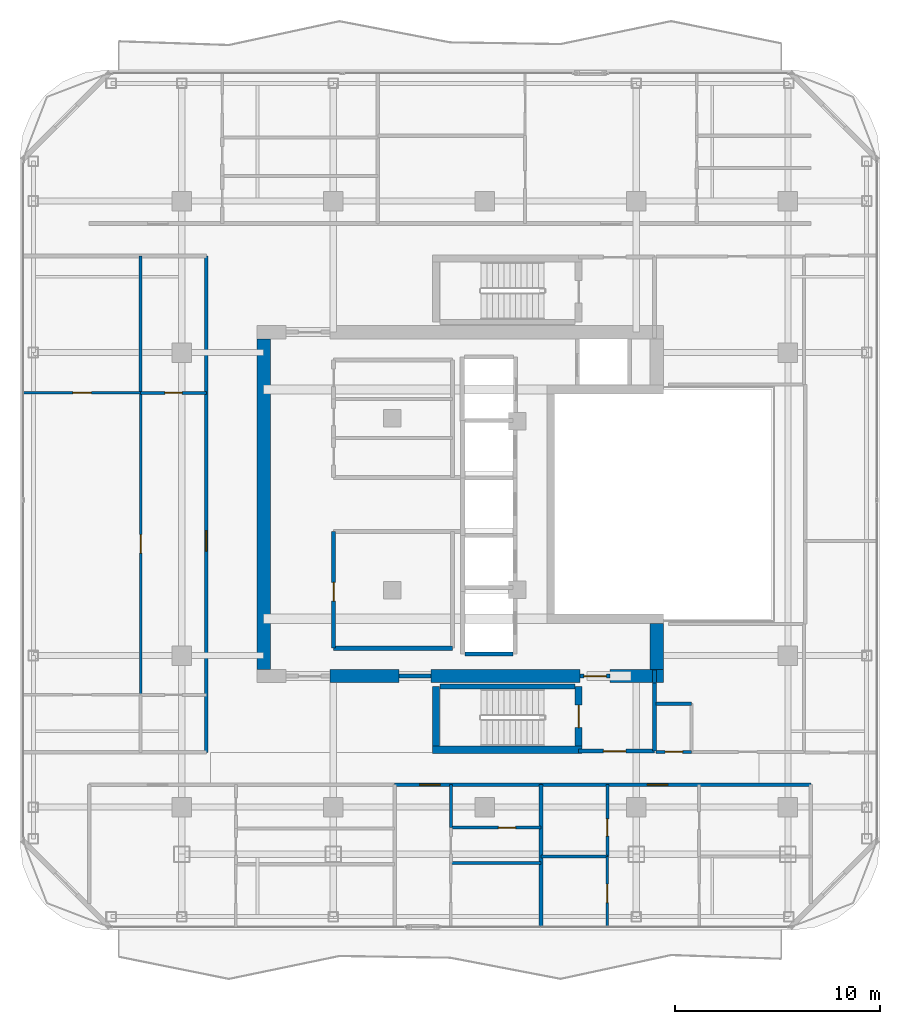
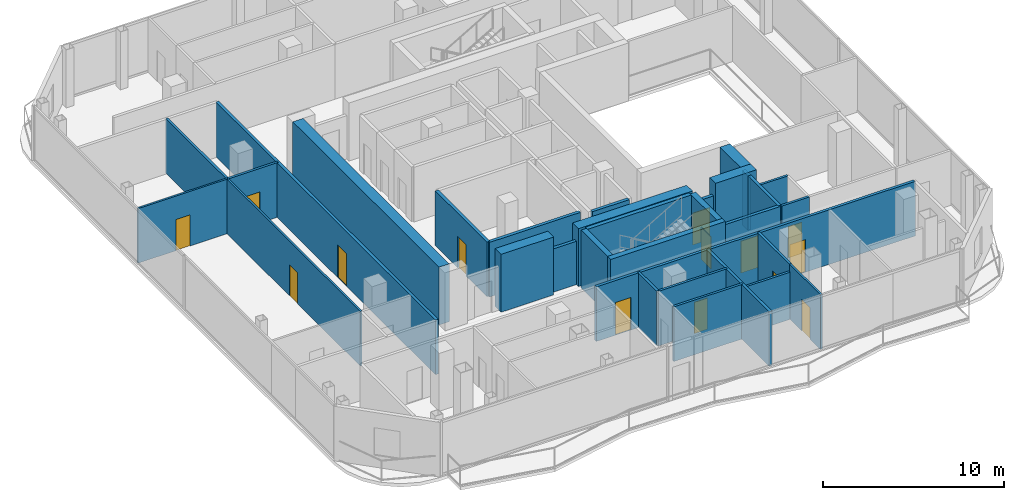
# One storey, part 16 of 22: 33 walls, 14 doors, 14 openings.
"""IFC4 building model written with IfcOpenShell, lengths in metres."""

from ifc_helpers import new_model, si_unit, direction, frame, frame_2d, origin, place, context, subcontext, project, spatial, rectangle, extrude, material, layer, layer_set, type_object, element, fill, save


model = new_model("IFC4")

# Units and contexts
model_context = context("Model", 3, precision=1e-05, world=origin(), true_north=direction((0.0, 1.0)))
body_context = subcontext(model_context, "Body", "Model", "MODEL_VIEW")
ifc_project = project(units=[si_unit("LENGTHUNIT", "METRE"), si_unit("AREAUNIT", "SQUARE_METRE"), si_unit("VOLUMEUNIT", "CUBIC_METRE"), si_unit("PLANEANGLEUNIT", "RADIAN"), si_unit("MASSUNIT", "GRAM", prefix="KILO")], contexts=[model_context])

# Site, building, storey
site_placement = place(None, origin())
site = spatial("IfcSite", under=ifc_project, at=site_placement, CompositionType="ELEMENT")
building_placement = place(site_placement, origin())
building = spatial("IfcBuilding", under=site, at=building_placement, Name="Khorvyn Point Tower", CompositionType="ELEMENT")
storey_placement = place(building_placement, frame((0.0, 0.0, 305.39990234375)))
storey = spatial("IfcBuildingStorey", under=building, at=storey_placement, Name="L75", CompositionType="ELEMENT", Elevation=305.39990234375)

# Wall, opening, door
ifc_material_1 = material(Name="Double acoustic gypsum on twin steel stud", Category="steel")
ifc_layer_1 = layer(ifc_material_1, 0.179931640625)
ifc_layer_set_1 = layer_set([ifc_layer_1], Name="Acoustic Double-Stud Apartment Demising Wall 180")
wall_type_1 = type_object("IfcWallType", Name="Acoustic Double-Stud Apartment Demising Wall 180", PredefinedType="PARTITIONING", material=ifc_layer_set_1)
wall_1_placement = place(storey_placement, frame((-4.402099609375, -13.699951171875, 0.0), z_axis=(0.0, 0.0, 1.0), x_axis=(1.0, 0.0, 0.0)))
wall_1 = element("IfcWall", 1, at=wall_1_placement, inside=storey, type_object=wall_type_1, Name="Wall", PredefinedType="PARTITIONING", context=body_context, shape_type="SweptSolid", body=[
    extrude(rectangle(XDim=7.148193359375, YDim=0.179931640625, at=frame_2d((3.57421875, 0.0))), origin(), (0.0, 0.0, 1.0), 3.68017578125),
])
opening_1_placement = place(wall_1_placement, frame((1.219482421875, 0.0, 0.0)))
opening_1 = element("IfcOpeningElement", 2, at=opening_1_placement, cuts=wall_1, Name="Opening ID-AP60", PredefinedType="OPENING", context=body_context, shape_type="SweptSolid", body=[
    extrude(rectangle(XDim=1.0, YDim=2.199951171875, at=frame_2d((0.5, 1.10009765625))), frame((0.0, 0.099853515625, 0.0), z_axis=(0.0, -1.0, 0.0), x_axis=(1.0, 0.0, 0.0)), (0.0, 0.0, 1.0), 0.199951171875),
])
ifc_material_2 = material(Name="Engineered hardwood fire-rated leaf", Category="wood")
door_type_1 = type_object("IfcDoorType", Name="Acoustic Solid-Core Timber Apartment Entrance Door 1000x2200", OperationType="NOTDEFINED", PredefinedType="DOOR", material=ifc_material_2)
door_1_placement = place(opening_1_placement, origin())
door_1 = element("IfcDoor", 3, at=door_1_placement, inside=storey, type_object=door_type_1, Name="Door", OperationType="SINGLE_SWING_RIGHT", OverallHeight=2.199951171875, OverallWidth=1.0, PredefinedType="DOOR", context=body_context, shape_type="SweptSolid", body=[
    extrude(rectangle(XDim=1.0, YDim=2.199951171875, at=frame_2d((0.5, 1.10009765625))), frame((0.0, 0.02490234375, 0.0), z_axis=(0.0, -1.0, 0.0), x_axis=(1.0, 0.0, 0.0)), (0.0, 0.0, 1.0), 0.050048828125),
])
fill(opening_1, door_1)

wall_2_placement = place(storey_placement, frame((2.74609375, -13.699951171875, 0.0), z_axis=(0.0, 0.0, 1.0), x_axis=(1.0, 0.0, 0.0)))
wall_2 = element("IfcWall", 4, at=wall_2_placement, inside=storey, type_object=wall_type_1, Name="Wall", PredefinedType="PARTITIONING", context=body_context, shape_type="SweptSolid", body=[
    extrude(rectangle(XDim=13.173828125, YDim=0.179931640625, at=frame_2d((6.5869140625, 0.0))), origin(), (0.0, 0.0, 1.0), 3.68017578125),
])
opening_2_placement = place(wall_2_placement, frame((5.18896484375, 0.0, 0.0)))
opening_2 = element("IfcOpeningElement", 5, at=opening_2_placement, cuts=wall_2, Name="Opening ID-AP60", PredefinedType="OPENING", context=body_context, shape_type="SweptSolid", body=[
    extrude(rectangle(XDim=1.0, YDim=2.199951171875, at=frame_2d((0.5, 1.10009765625))), frame((0.0, 0.099853515625, 0.0), z_axis=(0.0, -1.0, 0.0), x_axis=(1.0, 0.0, 0.0)), (0.0, 0.0, 1.0), 0.199951171875),
])
door_2_placement = place(opening_2_placement, origin())
door_2 = element("IfcDoor", 6, at=door_2_placement, inside=storey, type_object=door_type_1, Name="Door", OperationType="SINGLE_SWING_RIGHT", OverallHeight=2.199951171875, OverallWidth=1.0, PredefinedType="DOOR", context=body_context, shape_type="SweptSolid", body=[
    extrude(rectangle(XDim=1.0, YDim=2.199951171875, at=frame_2d((0.5, 1.10009765625))), frame((0.0, 0.02490234375, 0.0), z_axis=(0.0, -1.0, 0.0), x_axis=(1.0, 0.0, 0.0)), (0.0, 0.0, 1.0), 0.050048828125),
])
fill(opening_2, door_2)

wall_3_placement = place(storey_placement, frame((-13.60009765625, -12.1201171875, 0.0), z_axis=(0.0, 0.0, 1.0), x_axis=(0.0, 1.0, 0.0)))
wall_3 = element("IfcWall", 7, at=wall_3_placement, inside=storey, type_object=wall_type_1, Name="Wall", PredefinedType="PARTITIONING", context=body_context, shape_type="SweptSolid", body=[
    extrude(rectangle(XDim=24.240234375, YDim=0.179931640625, at=frame_2d((12.1201171875, 0.0))), origin(), (0.0, 0.0, 1.0), 3.68017578125),
])
opening_3_placement = place(wall_3_placement, frame((9.829345703125, 0.0, 0.0)))
opening_3 = element("IfcOpeningElement", 8, at=opening_3_placement, cuts=wall_3, Name="Opening ID-AP60", PredefinedType="OPENING", context=body_context, shape_type="SweptSolid", body=[
    extrude(rectangle(XDim=1.0, YDim=2.199951171875, at=frame_2d((0.5, 1.10009765625))), frame((0.0, 0.099853515625, 0.0), z_axis=(0.0, -1.0, 0.0), x_axis=(1.0, 0.0, 0.0)), (0.0, 0.0, 1.0), 0.199951171875),
])
door_3_placement = place(opening_3_placement, origin())
door_3 = element("IfcDoor", 9, at=door_3_placement, inside=storey, type_object=door_type_1, Name="Door", OperationType="SINGLE_SWING_LEFT", OverallHeight=2.199951171875, OverallWidth=1.0, PredefinedType="DOOR", context=body_context, shape_type="SweptSolid", body=[
    extrude(rectangle(XDim=1.0, YDim=2.199951171875, at=frame_2d((0.5, 1.10009765625))), frame((0.0, 0.02490234375, 0.0), z_axis=(0.0, -1.0, 0.0), x_axis=(1.0, 0.0, 0.0)), (0.0, 0.0, 1.0), 0.050048828125),
])
fill(opening_3, door_3)

# Walls
wall_4_placement = place(storey_placement, frame((2.74609375, -20.6298828125, 0.0), z_axis=(0.0, 0.0, 1.0), x_axis=(0.0, 1.0, 0.0)))
element("IfcWall", 10, at=wall_4_placement, inside=storey, type_object=wall_type_1, Name="Wall", PredefinedType="PARTITIONING", context=body_context, shape_type="SweptSolid", body=[
    extrude(rectangle(XDim=6.929931640625, YDim=0.179931640625, at=frame_2d((3.46484375, 0.0))), origin(), (0.0, 0.0, 1.0), 3.68017578125),
])
ifc_material_3 = material(Name="Concrete C40/50", Category="concrete")
ifc_layer_2 = layer(ifc_material_3, 0.64990234375)
ifc_layer_set_2 = layer_set([ifc_layer_2], Name="Concrete C40/50 Core Shear Wall 650")
wall_type_2 = type_object("IfcWallType", Name="Concrete C40/50 Core Shear Wall 650", PredefinedType="SHEAR", material=ifc_layer_set_2)
wall_5_placement = place(storey_placement, frame((-7.550048828125, -8.39990234375, 0.0), z_axis=(0.0, 0.0, 1.0), x_axis=(1.0, 0.0, 0.0)))
element("IfcWall", 11, at=wall_5_placement, inside=storey, type_object=wall_type_2, Name="Wall", PredefinedType="SHEAR", context=body_context, shape_type="SweptSolid", body=[
    extrude(rectangle(XDim=3.35009765625, YDim=0.64990234375, at=frame_2d((1.675048828125, 0.0))), origin(), (0.0, 0.0, 1.0), 3.900146484375),
])
wall_6_placement = place(storey_placement, frame((-2.6201171875, -8.39990234375, 0.0), z_axis=(0.0, 0.0, 1.0), x_axis=(1.0, 0.0, 0.0)))
element("IfcWall", 12, at=wall_6_placement, inside=storey, type_object=wall_type_2, Name="Wall", PredefinedType="SHEAR", context=body_context, shape_type="SweptSolid", body=[
    extrude(rectangle(XDim=7.27001953125, YDim=0.64990234375, at=frame_2d((3.635009765625, 0.0))), origin(), (0.0, 0.0, 1.0), 3.900146484375),
])
wall_7_placement = place(storey_placement, frame((6.1201171875, -8.39990234375, 0.0), z_axis=(0.0, 0.0, 1.0), x_axis=(1.0, 0.0, 0.0)))
element("IfcWall", 13, at=wall_7_placement, inside=storey, type_object=wall_type_2, Name="Wall", PredefinedType="SHEAR", context=body_context, shape_type="SweptSolid", body=[
    extrude(rectangle(XDim=2.60498046875, YDim=0.64990234375, at=frame_2d((1.302490234375, 0.0))), origin(), (0.0, 0.0, 1.0), 3.900146484375),
])
wall_8_placement = place(storey_placement, frame((-10.800048828125, -8.074951171875, 0.0), z_axis=(0.0, 0.0, 1.0), x_axis=(0.0, 1.0, 0.0)))
element("IfcWall", 14, at=wall_8_placement, inside=storey, type_object=wall_type_2, Name="Wall", PredefinedType="SHEAR", context=body_context, shape_type="SweptSolid", body=[
    extrude(rectangle(XDim=16.14990234375, YDim=0.64990234375, at=frame_2d((8.074951171875, 0.0))), origin(), (0.0, 0.0, 1.0), 3.900146484375),
])
wall_9_placement = place(storey_placement, frame((8.39990234375, -8.074951171875, 0.0), z_axis=(0.0, 0.0, 1.0), x_axis=(0.0, 1.0, 0.0)))
element("IfcWall", 15, at=wall_9_placement, inside=storey, type_object=wall_type_2, Name="Wall", PredefinedType="SHEAR", context=body_context, shape_type="SweptSolid", body=[
    extrude(rectangle(XDim=2.25, YDim=0.64990234375, at=frame_2d((1.125, 0.0))), origin(), (0.0, 0.0, 1.0), 3.900146484375),
])

# Wall, opening, door
ifc_layer_3 = layer(ifc_material_3, 0.199951171875)
ifc_layer_set_3 = layer_set([ifc_layer_3], Name="Concrete C40/50 Fire-Lobby Compartment Wall 200")
wall_type_3 = type_object("IfcWallType", Name="Concrete C40/50 Fire-Lobby Compartment Wall 200", PredefinedType="SOLIDWALL", material=ifc_layer_set_3)
wall_10_placement = place(storey_placement, frame((4.580078125, -12.06005859375, 0.0), z_axis=(0.0, 0.0, 1.0), x_axis=(1.0, 0.0, 0.0)))
wall_10 = element("IfcWall", 16, at=wall_10_placement, inside=storey, type_object=wall_type_3, Name="Wall", PredefinedType="SOLIDWALL", context=body_context, shape_type="SweptSolid", body=[
    extrude(rectangle(XDim=3.699951171875, YDim=0.199951171875, at=frame_2d((1.85009765625, 0.0))), origin(), (0.0, 0.0, 1.0), 3.68017578125),
])
opening_4_placement = place(wall_10_placement, frame((1.21240234375, 0.0, 0.0)))
opening_4 = element("IfcOpeningElement", 17, at=opening_4_placement, cuts=wall_10, Name="Opening ID-FL90", PredefinedType="OPENING", context=body_context, shape_type="SweptSolid", body=[
    extrude(rectangle(XDim=1.10009765625, YDim=2.14990234375, at=frame_2d((0.550048828125, 1.074951171875))), frame((0.0, 0.10986328125, 0.0), z_axis=(0.0, -1.0, 0.0), x_axis=(1.0, 0.0, 0.0)), (0.0, 0.0, 1.0), 0.219970703125),
])
ifc_material_4 = material(Name="Galvanised powder-coated steel", Category="steel")
door_type_2 = type_object("IfcDoorType", Name="Fire-Rated Steel Lobby and Stair Door 1100x2150", OperationType="NOTDEFINED", PredefinedType="DOOR", material=ifc_material_4)
door_4_placement = place(opening_4_placement, origin())
door_4 = element("IfcDoor", 18, at=door_4_placement, inside=storey, type_object=door_type_2, Name="Door", OperationType="SINGLE_SWING_RIGHT", OverallHeight=2.14990234375, OverallWidth=1.10009765625, PredefinedType="DOOR", context=body_context, shape_type="SweptSolid", body=[
    extrude(rectangle(XDim=1.10009765625, YDim=2.14990234375, at=frame_2d((0.550048828125, 1.074951171875))), frame((0.0, 0.02490234375, 0.0), z_axis=(0.0, -1.0, 0.0), x_axis=(1.0, 0.0, 0.0)), (0.0, 0.0, 1.0), 0.050048828125),
])
fill(opening_4, door_4)

wall_11_placement = place(storey_placement, frame((4.64990234375, -8.39990234375, 0.0), z_axis=(0.0, 0.0, 1.0), x_axis=(1.0, 0.0, 0.0)))
wall_11 = element("IfcWall", 19, at=wall_11_placement, inside=storey, type_object=wall_type_3, Name="Wall", PredefinedType="SOLIDWALL", context=body_context, shape_type="SweptSolid", body=[
    extrude(rectangle(XDim=1.47021484375, YDim=0.199951171875, at=frame_2d((0.735107421875, 0.0))), origin(), (0.0, 0.0, 1.0), 2.920166015625),
])
opening_5_placement = place(wall_11_placement, frame((0.18505859375, 0.0, 0.0)))
opening_5 = element("IfcOpeningElement", 20, at=opening_5_placement, cuts=wall_11, Name="Opening ID-FL90", PredefinedType="OPENING", context=body_context, shape_type="SweptSolid", body=[
    extrude(rectangle(XDim=1.10009765625, YDim=2.14990234375, at=frame_2d((0.550048828125, 1.074951171875))), frame((0.0, 0.10986328125, 0.0), z_axis=(0.0, -1.0, 0.0), x_axis=(1.0, 0.0, 0.0)), (0.0, 0.0, 1.0), 0.219970703125),
])
door_5_placement = place(opening_5_placement, origin())
door_5 = element("IfcDoor", 21, at=door_5_placement, inside=storey, type_object=door_type_2, Name="Door", OperationType="SINGLE_SWING_LEFT", OverallHeight=2.14990234375, OverallWidth=1.10009765625, PredefinedType="DOOR", context=body_context, shape_type="SweptSolid", body=[
    extrude(rectangle(XDim=1.10009765625, YDim=2.14990234375, at=frame_2d((0.550048828125, 1.074951171875))), frame((0.0, 0.02490234375, 0.0), z_axis=(0.0, -1.0, 0.0), x_axis=(1.0, 0.0, 0.0)), (0.0, 0.0, 1.0), 0.050048828125),
])
fill(opening_5, door_5)

wall_12_placement = place(storey_placement, frame((-7.3798828125, -7.0400390625, 0.0), z_axis=(0.0, 0.0, 1.0), x_axis=(0.0, 1.0, 0.0)))
wall_12 = element("IfcWall", 22, at=wall_12_placement, inside=storey, type_object=wall_type_3, Name="Wall", PredefinedType="SOLIDWALL", context=body_context, shape_type="SweptSolid", body=[
    extrude(rectangle(XDim=5.699951171875, YDim=0.199951171875, at=frame_2d((2.85009765625, 0.0))), origin(), (0.0, 0.0, 1.0), 3.68017578125),
])
opening_6_placement = place(wall_12_placement, frame((2.30078125, 0.0, 0.0)))
opening_6 = element("IfcOpeningElement", 23, at=opening_6_placement, cuts=wall_12, Name="Opening ID-RS60", PredefinedType="OPENING", context=body_context, shape_type="SweptSolid", body=[
    extrude(rectangle(XDim=0.919921875, YDim=2.10009765625, at=frame_2d((0.4599609375, 1.050048828125))), frame((0.0, 0.10986328125, 0.0), z_axis=(0.0, -1.0, 0.0), x_axis=(1.0, 0.0, 0.0)), (0.0, 0.0, 1.0), 0.219970703125),
])
door_type_3 = type_object("IfcDoorType", Name="Fire-Rated Riser and Store Steel Door 920x2100", OperationType="NOTDEFINED", PredefinedType="DOOR", material=ifc_material_4)
door_6_placement = place(opening_6_placement, origin())
door_6 = element("IfcDoor", 24, at=door_6_placement, inside=storey, type_object=door_type_3, Name="Door", OperationType="SINGLE_SWING_LEFT", OverallHeight=2.10009765625, OverallWidth=0.919921875, PredefinedType="DOOR", context=body_context, shape_type="SweptSolid", body=[
    extrude(rectangle(XDim=0.919921875, YDim=2.10009765625, at=frame_2d((0.4599609375, 1.050048828125))), frame((0.0, 0.02490234375, 0.0), z_axis=(0.0, -1.0, 0.0), x_axis=(1.0, 0.0, 0.0)), (0.0, 0.0, 1.0), 0.050048828125),
])
fill(opening_6, door_6)

# Walls
wall_13_placement = place(storey_placement, frame((8.280029296875, -12.06005859375, 0.0), z_axis=(0.0, 0.0, 1.0), x_axis=(0.0, 1.0, 0.0)))
element("IfcWall", 25, at=wall_13_placement, inside=storey, type_object=wall_type_3, Name="Wall", PredefinedType="SOLIDWALL", context=body_context, shape_type="SweptSolid", body=[
    extrude(rectangle(XDim=3.3349609375, YDim=0.199951171875, at=frame_2d((1.66748046875, 0.0))), origin(), (0.0, 0.0, 1.0), 3.68017578125),
])
wall_14_placement = place(storey_placement, frame((-4.199951171875, -8.39990234375, 0.0), z_axis=(0.0, 0.0, 1.0), x_axis=(1.0, 0.0, 0.0)))
element("IfcWall", 26, at=wall_14_placement, inside=storey, type_object=wall_type_3, Name="Wall", PredefinedType="SOLIDWALL", context=body_context, shape_type="SweptSolid", body=[
    extrude(rectangle(XDim=1.579833984375, YDim=0.199951171875, at=frame_2d((0.7900390625, 0.0))), origin(), (0.0, 0.0, 1.0), 2.920166015625),
])
wall_15_placement = place(storey_placement, frame((-7.3798828125, -7.0400390625, 0.0), z_axis=(0.0, 0.0, 1.0), x_axis=(1.0, 0.0, 0.0)))
element("IfcWall", 27, at=wall_15_placement, inside=storey, type_object=wall_type_3, Name="Wall", PredefinedType="SOLIDWALL", context=body_context, shape_type="SweptSolid", body=[
    extrude(rectangle(XDim=5.7998046875, YDim=0.199951171875, at=frame_2d((2.89990234375, 0.0))), origin(), (0.0, 0.0, 1.0), 3.68017578125),
])
wall_16_placement = place(storey_placement, frame((8.280029296875, -8.72509765625, 0.0), z_axis=(0.0, 0.0, 1.0), x_axis=(0.0, 1.0, 0.0)))
element("IfcWall", 28, at=wall_16_placement, inside=storey, type_object=wall_type_3, Name="Wall", PredefinedType="SOLIDWALL", context=body_context, shape_type="SweptSolid", body=[
    extrude(rectangle(XDim=0.625, YDim=0.199951171875, at=frame_2d((0.3125, 0.0))), origin(), (0.0, 0.0, 1.0), 3.68017578125),
])
ifc_layer_4 = layer(ifc_material_3, 0.25)
ifc_layer_set_4 = layer_set([ifc_layer_4], Name="Concrete C40/50 Stair Inner Cheek Structural Wall 250")
wall_type_4 = type_object("IfcWallType", Name="Concrete C40/50 Stair Inner Cheek Structural Wall 250", PredefinedType="SHEAR", material=ifc_layer_set_4)
wall_17_placement = place(storey_placement, frame((-2.199951171875, -8.89990234375, 0.0), z_axis=(0.0, 0.0, 1.0), x_axis=(1.0, 0.0, 0.0)))
element("IfcWall", 29, at=wall_17_placement, inside=storey, type_object=wall_type_4, Name="Wall", PredefinedType="SHEAR", context=body_context, shape_type="SweptSolid", body=[
    extrude(rectangle(XDim=6.599853515625, YDim=0.25, at=frame_2d((3.2998046875, 0.0))), origin(), (0.0, 0.0, 1.0), 3.900146484375),
])
ifc_layer_5 = layer(ifc_material_3, 0.35009765625)
ifc_layer_set_5 = layer_set([ifc_layer_5], Name="Concrete C40/50 Stair Shaft Structural Wall 350")
wall_type_5 = type_object("IfcWallType", Name="Concrete C40/50 Stair Shaft Structural Wall 350", PredefinedType="SHEAR", material=ifc_layer_set_5)
wall_18_placement = place(storey_placement, frame((-2.554931640625, -12.0, 0.0), z_axis=(0.0, 0.0, 1.0), x_axis=(1.0, 0.0, 0.0)))
element("IfcWall", 30, at=wall_18_placement, inside=storey, type_object=wall_type_5, Name="L75 ST-01 South Shaft Wall", PredefinedType="SHEAR", context=body_context, shape_type="SweptSolid", body=[
    extrude(rectangle(XDim=7.309814453125, YDim=0.35009765625, at=frame_2d((3.65478515625, 0.0))), origin(), (0.0, 0.0, 1.0), 3.900146484375),
])
wall_19_placement = place(storey_placement, frame((-2.3798828125, -11.824951171875, 0.0), z_axis=(0.0, 0.0, 1.0), x_axis=(0.0, 1.0, 0.0)))
element("IfcWall", 31, at=wall_19_placement, inside=storey, type_object=wall_type_5, Name="L75 ST-01 West Shaft Wall", PredefinedType="SHEAR", context=body_context, shape_type="SweptSolid", body=[
    extrude(rectangle(XDim=2.925048828125, YDim=0.35009765625, at=frame_2d((1.46240234375, 0.0))), origin(), (0.0, 0.0, 1.0), 3.900146484375),
])

# Wall, opening, door
wall_20_placement = place(storey_placement, frame((4.580078125, -8.89990234375, 0.0), z_axis=(0.0, 0.0, 1.0), x_axis=(0.0, -1.0, 0.0)))
wall_20 = element("IfcWall", 32, at=wall_20_placement, inside=storey, type_object=wall_type_5, Name="L75 ST-01 East Landing Door Wall", PredefinedType="SHEAR", context=body_context, shape_type="SweptSolid", body=[
    extrude(rectangle(XDim=2.925048828125, YDim=0.35009765625, at=frame_2d((1.46240234375, 0.0))), origin(), (0.0, 0.0, 1.0), 3.900146484375),
])
opening_7_placement = place(wall_20_placement, frame((0.91259765625, 0.0, 0.0)))
opening_7 = element("IfcOpeningElement", 33, at=opening_7_placement, cuts=wall_20, Name="Opening ID-FL90", PredefinedType="OPENING", context=body_context, shape_type="SweptSolid", body=[
    extrude(rectangle(XDim=1.10009765625, YDim=2.14990234375, at=frame_2d((0.550048828125, 1.074951171875))), frame((0.0, 0.18505859375, 0.0), z_axis=(0.0, -1.0, 0.0), x_axis=(1.0, 0.0, 0.0)), (0.0, 0.0, 1.0), 0.3701171875),
])
door_7_placement = place(opening_7_placement, origin())
door_7 = element("IfcDoor", 34, at=door_7_placement, inside=storey, type_object=door_type_2, Name="L75 ST-01 Smokeproof Landing Door", OperationType="SINGLE_SWING_LEFT", OverallHeight=2.14990234375, OverallWidth=1.10009765625, PredefinedType="DOOR", context=body_context, shape_type="SweptSolid", body=[
    extrude(rectangle(XDim=1.10009765625, YDim=2.14990234375, at=frame_2d((0.550048828125, 1.074951171875))), frame((0.0, 0.02490234375, 0.0), z_axis=(0.0, -1.0, 0.0), x_axis=(1.0, 0.0, 0.0)), (0.0, 0.0, 1.0), 0.050048828125),
])
fill(opening_7, door_7)

# Wall
ifc_layer_6 = layer(ifc_material_3, 0.199951171875)
ifc_layer_set_6 = layer_set([ifc_layer_6], Name="Concrete C40/50 Structural Hoistway and Stair Shaft Wall 200")
wall_type_6 = type_object("IfcWallType", Name="Concrete C40/50 Structural Hoistway and Stair Shaft Wall 200", PredefinedType="SHEAR", material=ifc_layer_set_6)
wall_21_placement = place(storey_placement, frame((-0.97509765625, -7.324951171875, 0.0), z_axis=(0.0, 0.0, 1.0), x_axis=(1.0, 0.0, 0.0)))
element("IfcWall", 35, at=wall_21_placement, inside=storey, type_object=wall_type_6, Name="Wall", PredefinedType="SHEAR", context=body_context, shape_type="SweptSolid", body=[
    extrude(rectangle(XDim=2.35009765625, YDim=0.199951171875, at=frame_2d((1.175048828125, 0.0))), origin(), (0.0, 0.0, 1.0), 3.68017578125),
])

# Wall, opening, door
ifc_material_5 = material(Name="Gypsum plasterboard on steel stud", Category="steel")
ifc_layer_7 = layer(ifc_material_5, 0.1201171875)
ifc_layer_set_7 = layer_set([ifc_layer_7], Name="Gypsum Acoustic Stud Room Partition Wall 120")
wall_type_7 = type_object("IfcWallType", Name="Gypsum Acoustic Stud Room Partition Wall 120", PredefinedType="PARTITIONING", material=ifc_layer_set_7)
wall_22_placement = place(storey_placement, frame((5.985107421875, -20.6298828125, 0.0), z_axis=(0.0, 0.0, 1.0), x_axis=(0.0, 1.0, 0.0)))
wall_22 = element("IfcWall", 36, at=wall_22_placement, inside=storey, type_object=wall_type_7, Name="Wall", PredefinedType="PARTITIONING", context=body_context, shape_type="SweptSolid", body=[
    extrude(rectangle(XDim=3.410888671875, YDim=0.1201171875, at=frame_2d((1.70556640625, 0.0))), origin(), (0.0, 0.0, 1.0), 3.68017578125),
])
opening_8_placement = place(wall_22_placement, frame((1.171142578125, 0.0, 0.0)))
opening_8 = element("IfcOpeningElement", 37, at=opening_8_placement, cuts=wall_22, Name="Opening ID-RM90", PredefinedType="OPENING", context=body_context, shape_type="SweptSolid", body=[
    extrude(rectangle(XDim=0.89990234375, YDim=2.10009765625, at=frame_2d((0.449951171875, 1.050048828125))), frame((0.0, 0.070068359375, 0.0), z_axis=(0.0, -1.0, 0.0), x_axis=(1.0, 0.0, 0.0)), (0.0, 0.0, 1.0), 0.14013671875),
])
ifc_material_6 = material(Name="Engineered oak veneer timber", Category="wood")
door_type_4 = type_object("IfcDoorType", Name="Flush Engineered Timber Room Door 900x2100", OperationType="NOTDEFINED", PredefinedType="DOOR", material=ifc_material_6)
door_8_placement = place(opening_8_placement, origin())
door_8 = element("IfcDoor", 38, at=door_8_placement, inside=storey, type_object=door_type_4, Name="Door", OperationType="SINGLE_SWING_RIGHT", OverallHeight=2.10009765625, OverallWidth=0.89990234375, PredefinedType="DOOR", context=body_context, shape_type="SweptSolid", body=[
    extrude(rectangle(XDim=0.89990234375, YDim=2.10009765625, at=frame_2d((0.449951171875, 1.050048828125))), frame((0.0, 0.02490234375, 0.0), z_axis=(0.0, -1.0, 0.0), x_axis=(1.0, 0.0, 0.0)), (0.0, 0.0, 1.0), 0.050048828125),
])
fill(opening_8, door_8)

wall_23_placement = place(storey_placement, frame((-16.80908203125, -9.320068359375, 0.0), z_axis=(0.0, 0.0, 1.0), x_axis=(0.0, 1.0, 0.0)))
wall_23 = element("IfcWall", 39, at=wall_23_placement, inside=storey, type_object=wall_type_7, Name="Wall", PredefinedType="PARTITIONING", context=body_context, shape_type="SweptSolid", body=[
    extrude(rectangle(XDim=14.756103515625, YDim=0.1201171875, at=frame_2d((7.3779296875, 0.0))), origin(), (0.0, 0.0, 1.0), 3.68017578125),
])
opening_9_placement = place(wall_23_placement, frame((6.927978515625, 0.0, 0.0)))
opening_9 = element("IfcOpeningElement", 40, at=opening_9_placement, cuts=wall_23, Name="Opening ID-RM90", PredefinedType="OPENING", context=body_context, shape_type="SweptSolid", body=[
    extrude(rectangle(XDim=0.89990234375, YDim=2.10009765625, at=frame_2d((0.449951171875, 1.050048828125))), frame((0.0, 0.070068359375, 0.0), z_axis=(0.0, -1.0, 0.0), x_axis=(1.0, 0.0, 0.0)), (0.0, 0.0, 1.0), 0.14013671875),
])
door_9_placement = place(opening_9_placement, origin())
door_9 = element("IfcDoor", 41, at=door_9_placement, inside=storey, type_object=door_type_4, Name="Door", OperationType="SINGLE_SWING_RIGHT", OverallHeight=2.10009765625, OverallWidth=0.89990234375, PredefinedType="DOOR", context=body_context, shape_type="SweptSolid", body=[
    extrude(rectangle(XDim=0.89990234375, YDim=2.10009765625, at=frame_2d((0.449951171875, 1.050048828125))), frame((0.0, 0.02490234375, 0.0), z_axis=(0.0, -1.0, 0.0), x_axis=(1.0, 0.0, 0.0)), (0.0, 0.0, 1.0), 0.050048828125),
])
fill(opening_9, door_9)

wall_24_placement = place(storey_placement, frame((-22.530029296875, 5.43603515625, 0.0), z_axis=(0.0, 0.0, 1.0), x_axis=(1.0, 0.0, 0.0)))
wall_24 = element("IfcWall", 42, at=wall_24_placement, inside=storey, type_object=wall_type_7, Name="Wall", PredefinedType="PARTITIONING", context=body_context, shape_type="SweptSolid", body=[
    extrude(rectangle(XDim=5.720947265625, YDim=0.1201171875, at=frame_2d((2.8603515625, 0.0))), origin(), (0.0, 0.0, 1.0), 3.68017578125),
])
opening_10_placement = place(wall_24_placement, frame((2.410400390625, 0.0, 0.0)))
opening_10 = element("IfcOpeningElement", 43, at=opening_10_placement, cuts=wall_24, Name="Opening ID-RM90", PredefinedType="OPENING", context=body_context, shape_type="SweptSolid", body=[
    extrude(rectangle(XDim=0.89990234375, YDim=2.10009765625, at=frame_2d((0.449951171875, 1.050048828125))), frame((0.0, 0.070068359375, 0.0), z_axis=(0.0, -1.0, 0.0), x_axis=(1.0, 0.0, 0.0)), (0.0, 0.0, 1.0), 0.14013671875),
])
door_10_placement = place(opening_10_placement, origin())
door_10 = element("IfcDoor", 44, at=door_10_placement, inside=storey, type_object=door_type_4, Name="Door", OperationType="SINGLE_SWING_RIGHT", OverallHeight=2.10009765625, OverallWidth=0.89990234375, PredefinedType="DOOR", context=body_context, shape_type="SweptSolid", body=[
    extrude(rectangle(XDim=0.89990234375, YDim=2.10009765625, at=frame_2d((0.449951171875, 1.050048828125))), frame((0.0, 0.02490234375, 0.0), z_axis=(0.0, -1.0, 0.0), x_axis=(1.0, 0.0, 0.0)), (0.0, 0.0, 1.0), 0.050048828125),
])
fill(opening_10, door_10)

ifc_material_7 = material(Name="Moisture-resistant gypsum and cement board", Category="gypsum")
ifc_layer_8 = layer(ifc_material_7, 0.14990234375)
ifc_layer_set_8 = layer_set([ifc_layer_8], Name="Moisture-Resistant Wet-Room Partition Wall 150")
wall_type_8 = type_object("IfcWallType", Name="Moisture-Resistant Wet-Room Partition Wall 150", PredefinedType="PARTITIONING", material=ifc_layer_set_8)
wall_25_placement = place(storey_placement, frame((8.360107421875, -12.10009765625, 0.0), z_axis=(0.0, 0.0, 1.0), x_axis=(1.0, 0.0, 0.0)))
wall_25 = element("IfcWall", 45, at=wall_25_placement, inside=storey, type_object=wall_type_8, Name="Wall", PredefinedType="PARTITIONING", context=body_context, shape_type="SweptSolid", body=[
    extrude(rectangle(XDim=1.739990234375, YDim=0.14990234375, at=frame_2d((0.8701171875, 0.0))), origin(), (0.0, 0.0, 1.0), 3.68017578125),
])
opening_11_placement = place(wall_25_placement, frame((0.445068359375, 0.0, 0.0)))
opening_11 = element("IfcOpeningElement", 46, at=opening_11_placement, cuts=wall_25, Name="Opening ID-WC85", PredefinedType="OPENING", context=body_context, shape_type="SweptSolid", body=[
    extrude(rectangle(XDim=0.85009765625, YDim=2.10009765625, at=frame_2d((0.425048828125, 1.050048828125))), frame((0.0, 0.0849609375, 0.0), z_axis=(0.0, -1.0, 0.0), x_axis=(1.0, 0.0, 0.0)), (0.0, 0.0, 1.0), 0.169921875),
])
ifc_material_8 = material(Name="High-pressure laminate on moisture-resistant core", Category="wood")
door_type_5 = type_object("IfcDoorType", Name="Moisture-Resistant Accessible Washroom Door 850x2100", OperationType="NOTDEFINED", PredefinedType="DOOR", material=ifc_material_8)
door_11_placement = place(opening_11_placement, origin())
door_11 = element("IfcDoor", 47, at=door_11_placement, inside=storey, type_object=door_type_5, Name="Door", OperationType="SINGLE_SWING_LEFT", OverallHeight=2.10009765625, OverallWidth=0.85009765625, PredefinedType="DOOR", context=body_context, shape_type="SweptSolid", body=[
    extrude(rectangle(XDim=0.85009765625, YDim=2.10009765625, at=frame_2d((0.425048828125, 1.050048828125))), frame((0.0, 0.02490234375, 0.0), z_axis=(0.0, -1.0, 0.0), x_axis=(1.0, 0.0, 0.0)), (0.0, 0.0, 1.0), 0.050048828125),
])
fill(opening_11, door_11)

# Wall
wall_26_placement = place(storey_placement, frame((-1.652099609375, -15.802978515625, 0.0), z_axis=(0.0, 0.0, 1.0), x_axis=(0.0, 1.0, 0.0)))
element("IfcWall", 48, at=wall_26_placement, inside=storey, type_object=wall_type_8, Name="Wall", PredefinedType="PARTITIONING", context=body_context, shape_type="SweptSolid", body=[
    extrude(rectangle(XDim=2.10302734375, YDim=0.14990234375, at=frame_2d((1.051513671875, 0.0))), origin(), (0.0, 0.0, 1.0), 3.68017578125),
])

# Wall, opening, door
wall_27_placement = place(storey_placement, frame((5.985107421875, -17.218994140625, 0.0), z_axis=(0.0, 0.0, 1.0), x_axis=(0.0, 1.0, 0.0)))
wall_27 = element("IfcWall", 49, at=wall_27_placement, inside=storey, type_object=wall_type_8, Name="Wall", PredefinedType="PARTITIONING", context=body_context, shape_type="SweptSolid", body=[
    extrude(rectangle(XDim=3.51904296875, YDim=0.14990234375, at=frame_2d((1.759521484375, 0.0))), origin(), (0.0, 0.0, 1.0), 3.68017578125),
])
opening_12_placement = place(wall_27_placement, frame((0.998779296875, 0.0, 0.0)))
opening_12 = element("IfcOpeningElement", 50, at=opening_12_placement, cuts=wall_27, Name="Opening ID-WC85", PredefinedType="OPENING", context=body_context, shape_type="SweptSolid", body=[
    extrude(rectangle(XDim=0.85009765625, YDim=2.10009765625, at=frame_2d((0.425048828125, 1.050048828125))), frame((0.0, 0.0849609375, 0.0), z_axis=(0.0, -1.0, 0.0), x_axis=(1.0, 0.0, 0.0)), (0.0, 0.0, 1.0), 0.169921875),
])
door_12_placement = place(opening_12_placement, origin())
door_12 = element("IfcDoor", 51, at=door_12_placement, inside=storey, type_object=door_type_5, Name="Door", OperationType="SINGLE_SWING_LEFT", OverallHeight=2.10009765625, OverallWidth=0.85009765625, PredefinedType="DOOR", context=body_context, shape_type="SweptSolid", body=[
    extrude(rectangle(XDim=0.85009765625, YDim=2.10009765625, at=frame_2d((0.425048828125, 1.050048828125))), frame((0.0, 0.02490234375, 0.0), z_axis=(0.0, -1.0, 0.0), x_axis=(1.0, 0.0, 0.0)), (0.0, 0.0, 1.0), 0.050048828125),
])
fill(opening_12, door_12)

wall_28_placement = place(storey_placement, frame((-16.80908203125, 5.43603515625, 0.0), z_axis=(0.0, 0.0, 1.0), x_axis=(1.0, 0.0, 0.0)))
wall_28 = element("IfcWall", 52, at=wall_28_placement, inside=storey, type_object=wall_type_8, Name="Wall", PredefinedType="PARTITIONING", context=body_context, shape_type="SweptSolid", body=[
    extrude(rectangle(XDim=3.208984375, YDim=0.14990234375, at=frame_2d((1.6044921875, 0.0))), origin(), (0.0, 0.0, 1.0), 3.68017578125),
])
opening_13_placement = place(wall_28_placement, frame((1.179443359375, 0.0, 0.0)))
opening_13 = element("IfcOpeningElement", 53, at=opening_13_placement, cuts=wall_28, Name="Opening ID-WC85", PredefinedType="OPENING", context=body_context, shape_type="SweptSolid", body=[
    extrude(rectangle(XDim=0.85009765625, YDim=2.10009765625, at=frame_2d((0.425048828125, 1.050048828125))), frame((0.0, 0.0849609375, 0.0), z_axis=(0.0, -1.0, 0.0), x_axis=(1.0, 0.0, 0.0)), (0.0, 0.0, 1.0), 0.169921875),
])
door_13_placement = place(opening_13_placement, origin())
door_13 = element("IfcDoor", 54, at=door_13_placement, inside=storey, type_object=door_type_5, Name="Door", OperationType="SINGLE_SWING_LEFT", OverallHeight=2.10009765625, OverallWidth=0.85009765625, PredefinedType="DOOR", context=body_context, shape_type="SweptSolid", body=[
    extrude(rectangle(XDim=0.85009765625, YDim=2.10009765625, at=frame_2d((0.425048828125, 1.050048828125))), frame((0.0, 0.02490234375, 0.0), z_axis=(0.0, -1.0, 0.0), x_axis=(1.0, 0.0, 0.0)), (0.0, 0.0, 1.0), 0.050048828125),
])
fill(opening_13, door_13)

# Wall
wall_29_placement = place(storey_placement, frame((8.360107421875, -9.75, 0.0), z_axis=(0.0, 0.0, 1.0), x_axis=(1.0, 0.0, 0.0)))
element("IfcWall", 55, at=wall_29_placement, inside=storey, type_object=wall_type_8, Name="Wall", PredefinedType="PARTITIONING", context=body_context, shape_type="SweptSolid", body=[
    extrude(rectangle(XDim=1.739990234375, YDim=0.14990234375, at=frame_2d((0.8701171875, 0.0))), origin(), (0.0, 0.0, 1.0), 3.68017578125),
])

# Wall, opening, door
wall_30_placement = place(storey_placement, frame((-1.652099609375, -15.802978515625, 0.0), z_axis=(0.0, 0.0, 1.0), x_axis=(1.0, 0.0, 0.0)))
wall_30 = element("IfcWall", 56, at=wall_30_placement, inside=storey, type_object=wall_type_8, Name="Wall", PredefinedType="PARTITIONING", context=body_context, shape_type="SweptSolid", body=[
    extrude(rectangle(XDim=4.398193359375, YDim=0.14990234375, at=frame_2d((2.19921875, 0.0))), origin(), (0.0, 0.0, 1.0), 3.68017578125),
])
opening_14_placement = place(wall_30_placement, frame((2.31201171875, 0.0, 0.0)))
opening_14 = element("IfcOpeningElement", 57, at=opening_14_placement, cuts=wall_30, Name="Opening ID-WC85", PredefinedType="OPENING", context=body_context, shape_type="SweptSolid", body=[
    extrude(rectangle(XDim=0.85009765625, YDim=2.10009765625, at=frame_2d((0.425048828125, 1.050048828125))), frame((0.0, 0.0849609375, 0.0), z_axis=(0.0, -1.0, 0.0), x_axis=(1.0, 0.0, 0.0)), (0.0, 0.0, 1.0), 0.169921875),
])
door_14_placement = place(opening_14_placement, origin())
door_14 = element("IfcDoor", 58, at=door_14_placement, inside=storey, type_object=door_type_5, Name="Door", OperationType="SINGLE_SWING_LEFT", OverallHeight=2.10009765625, OverallWidth=0.85009765625, PredefinedType="DOOR", context=body_context, shape_type="SweptSolid", body=[
    extrude(rectangle(XDim=0.85009765625, YDim=2.10009765625, at=frame_2d((0.425048828125, 1.050048828125))), frame((0.0, 0.02490234375, 0.0), z_axis=(0.0, -1.0, 0.0), x_axis=(1.0, 0.0, 0.0)), (0.0, 0.0, 1.0), 0.050048828125),
])
fill(opening_14, door_14)

# Walls
wall_31_placement = place(storey_placement, frame((-1.652099609375, -17.52392578125, 0.0), z_axis=(0.0, 0.0, 1.0), x_axis=(1.0, 0.0, 0.0)))
element("IfcWall", 59, at=wall_31_placement, inside=storey, type_object=wall_type_8, Name="Wall", PredefinedType="PARTITIONING", context=body_context, shape_type="SweptSolid", body=[
    extrude(rectangle(XDim=4.398193359375, YDim=0.14990234375, at=frame_2d((2.19921875, 0.0))), origin(), (0.0, 0.0, 1.0), 3.68017578125),
])
wall_32_placement = place(storey_placement, frame((2.74609375, -17.218994140625, 0.0), z_axis=(0.0, 0.0, 1.0), x_axis=(1.0, 0.0, 0.0)))
element("IfcWall", 60, at=wall_32_placement, inside=storey, type_object=wall_type_8, Name="Wall", PredefinedType="PARTITIONING", context=body_context, shape_type="SweptSolid", body=[
    extrude(rectangle(XDim=3.239013671875, YDim=0.14990234375, at=frame_2d((1.61962890625, 0.0))), origin(), (0.0, 0.0, 1.0), 3.18212890625),
])
wall_33_placement = place(storey_placement, frame((-16.80908203125, 5.43603515625, 0.0), z_axis=(0.0, 0.0, 1.0), x_axis=(0.0, 1.0, 0.0)))
element("IfcWall", 61, at=wall_33_placement, inside=storey, type_object=wall_type_8, Name="Wall", PredefinedType="PARTITIONING", context=body_context, shape_type="SweptSolid", body=[
    extrude(rectangle(XDim=6.68408203125, YDim=0.14990234375, at=frame_2d((3.342041015625, 0.0))), origin(), (0.0, 0.0, 1.0), 3.68017578125),
])

save(model, "model.ifc")
